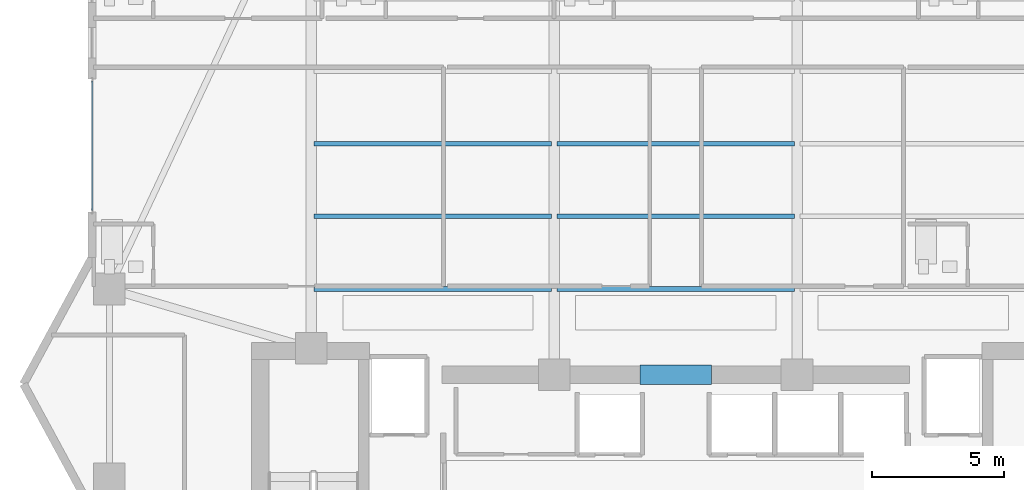
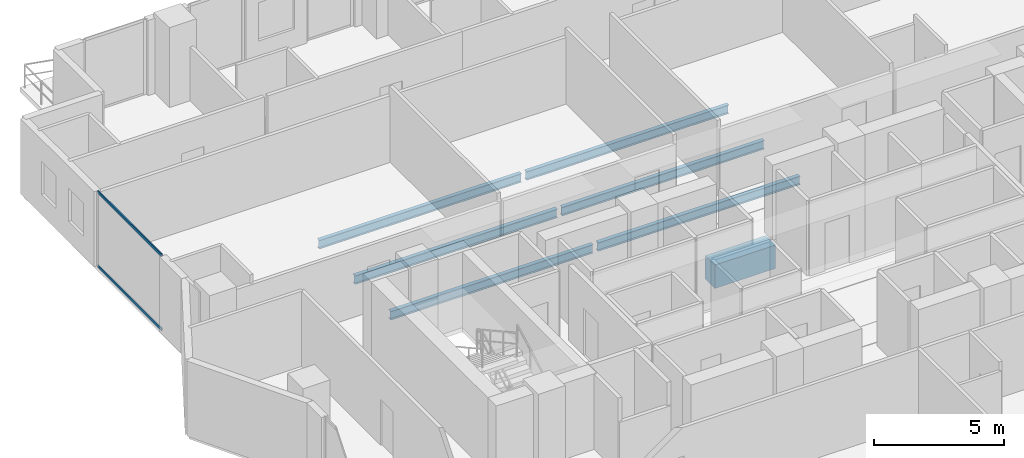
# One storey, part 9 of 33: 7 beams, 2 members, 1 element without a shape of its own.
"""IFC4 building model written with IfcOpenShell, lengths in metres."""

from ifc_helpers import new_model, si_unit, direction, frame, origin, origin_2d, place, context, subcontext, project, spatial, rectangle, hollow_rectangle, i_section, extrude, material, layer, layer_set, material_profile, profile_set, type_object, element, aggregate, save


model = new_model("IFC4")

# Units and contexts
model_context = context("Model", 3, precision=1e-05, world=origin(), true_north=direction((0.0, 1.0)))
body_context = subcontext(model_context, "Body", "Model", "MODEL_VIEW")
ifc_project = project(units=[si_unit("LENGTHUNIT", "METRE"), si_unit("AREAUNIT", "SQUARE_METRE"), si_unit("VOLUMEUNIT", "CUBIC_METRE"), si_unit("PLANEANGLEUNIT", "RADIAN"), si_unit("MASSUNIT", "GRAM", prefix="KILO")], contexts=[model_context])

# Site, building, storey
site_placement = place(None, origin())
site = spatial("IfcSite", under=ifc_project, at=site_placement, CompositionType="ELEMENT")
building_placement = place(site_placement, origin())
building = spatial("IfcBuilding", under=site, at=building_placement, Name="Zuhayl Quay Hotel", CompositionType="ELEMENT")
storey_placement = place(building_placement, frame((0.0, 0.0, 211.14990234375)))
storey = spatial("IfcBuildingStorey", under=building, at=storey_placement, Name="L53", CompositionType="ELEMENT", Elevation=211.14990234375)

# Beams
ifc_material_1 = material(Name="Concrete C60/75", Category="concrete")
ifc_material_profile_1 = material_profile(ifc_material_1, rectangle(XDim=0.75, YDim=1.10009765625, at=origin_2d()), Name="RC750X1100")
ifc_profile_set_1 = profile_set([ifc_material_profile_1], Name="Concrete C60/75")
beam_type_1 = type_object("IfcBeamType", Name="BM_CB2_RC750", PredefinedType="T_BEAM", material=ifc_profile_set_1)
beam_1_placement = place(storey_placement, frame((-1.35009765625, 13.35009765625, -0.77001953125), z_axis=(1.0, 0.0, 0.0), x_axis=(0.0, 1.0, 0.0)))
element("IfcBeam", 1, at=beam_1_placement, inside=storey, type_object=beam_type_1, Name="L53 Core Coupling Beam North", PredefinedType="T_BEAM", context=body_context, shape_type="SweptSolid", body=[
    extrude(rectangle(XDim=0.75, YDim=1.10009765625, at=origin_2d()), origin(), (0.0, 0.0, 1.0), 2.7001953125),
])
ifc_material_2 = material(Name="Steel ASTM A992 Grade 50", Category="steel")
ifc_material_profile_2 = material_profile(ifc_material_2, i_section(OverallWidth=0.177978515625, OverallDepth=0.406005859375, WebThickness=0.0078125, FlangeThickness=0.0126953125, at=origin_2d()), Name="W16X40")
ifc_profile_set_2 = profile_set([ifc_material_profile_2], Name="Steel ASTM A992 Grade 50")
beam_type_2 = type_object("IfcBeamType", Name="BM_J2B_W16X40", PredefinedType="JOIST", material=ifc_profile_set_2)
beam_2_placement = place(storey_placement, frame((-13.694091796875, 16.60009765625, -0.4228515625), z_axis=(1.0, 0.0, 0.0), x_axis=(0.0, 1.0, 0.0)))
element("IfcBeam", 2, at=beam_2_placement, inside=storey, type_object=beam_type_2, Name="L53 Floor Beam FJ_L53_1_1", PredefinedType="JOIST", context=body_context, shape_type="SweptSolid", body=[
    extrude(i_section(OverallWidth=0.177978515625, OverallDepth=0.406005859375, WebThickness=0.0078125, FlangeThickness=0.0126953125, at=origin_2d()), origin(), (0.0, 0.0, 1.0), 8.988037109375),
])
beam_3_placement = place(storey_placement, frame((-4.493896484375, 16.60009765625, -0.4228515625), z_axis=(1.0, 0.0, 0.0), x_axis=(0.0, 1.0, 0.0)))
element("IfcBeam", 3, at=beam_3_placement, inside=storey, type_object=beam_type_2, Name="L53 Floor Beam FJ_L53_1_2", PredefinedType="JOIST", context=body_context, shape_type="SweptSolid", body=[
    extrude(i_section(OverallWidth=0.177978515625, OverallDepth=0.406005859375, WebThickness=0.0078125, FlangeThickness=0.0126953125, at=origin_2d()), origin(), (0.0, 0.0, 1.0), 8.98779296875),
])
beam_4_placement = place(storey_placement, frame((-13.694091796875, 19.35009765625, -0.4228515625), z_axis=(1.0, 0.0, 0.0), x_axis=(0.0, 1.0, 0.0)))
element("IfcBeam", 4, at=beam_4_placement, inside=storey, type_object=beam_type_2, Name="L53 Floor Beam FJ_L53_2_1", PredefinedType="JOIST", context=body_context, shape_type="SweptSolid", body=[
    extrude(i_section(OverallWidth=0.177978515625, OverallDepth=0.406005859375, WebThickness=0.0078125, FlangeThickness=0.0126953125, at=origin_2d()), origin(), (0.0, 0.0, 1.0), 8.988037109375),
])
beam_5_placement = place(storey_placement, frame((-4.493896484375, 19.35009765625, -0.4228515625), z_axis=(1.0, 0.0, 0.0), x_axis=(0.0, 1.0, 0.0)))
element("IfcBeam", 5, at=beam_5_placement, inside=storey, type_object=beam_type_2, Name="L53 Floor Beam FJ_L53_2_2", PredefinedType="JOIST", context=body_context, shape_type="SweptSolid", body=[
    extrude(i_section(OverallWidth=0.177978515625, OverallDepth=0.406005859375, WebThickness=0.0078125, FlangeThickness=0.0126953125, at=origin_2d()), origin(), (0.0, 0.0, 1.0), 8.98779296875),
])
beam_6_placement = place(storey_placement, frame((-13.694091796875, 22.10009765625, -0.4228515625), z_axis=(1.0, 0.0, 0.0), x_axis=(0.0, 1.0, 0.0)))
element("IfcBeam", 6, at=beam_6_placement, inside=storey, type_object=beam_type_2, Name="L53 Floor Beam FJ_L53_3_1", PredefinedType="JOIST", context=body_context, shape_type="SweptSolid", body=[
    extrude(i_section(OverallWidth=0.177978515625, OverallDepth=0.406005859375, WebThickness=0.0078125, FlangeThickness=0.0126953125, at=origin_2d()), origin(), (0.0, 0.0, 1.0), 8.988037109375),
])
beam_7_placement = place(storey_placement, frame((-4.493896484375, 22.10009765625, -0.4228515625), z_axis=(1.0, 0.0, 0.0), x_axis=(0.0, 1.0, 0.0)))
element("IfcBeam", 7, at=beam_7_placement, inside=storey, type_object=beam_type_2, Name="L53 Floor Beam FJ_L53_3_2", PredefinedType="JOIST", context=body_context, shape_type="SweptSolid", body=[
    extrude(i_section(OverallWidth=0.177978515625, OverallDepth=0.406005859375, WebThickness=0.0078125, FlangeThickness=0.0126953125, at=origin_2d()), origin(), (0.0, 0.0, 1.0), 8.98779296875),
])

# Curtain wall, members
ifc_material_3 = material(Name="Anodised Aluminium 6063-T6", Category="aluminium")
ifc_layer = layer(ifc_material_3, 0.175048828125, Name="Anodised Aluminium 6063-T6", Category="aluminium")
ifc_layer_set = layer_set([ifc_layer], Name="Anodised Aluminium 6063-T6")
curtain_wall_type = type_object("IfcCurtainWallType", Name="CW_SYS_Z3", PredefinedType="USERDEFINED", material=ifc_layer_set)
curtain_wall_placement = place(storey_placement, origin())
curtain_wall = element("IfcCurtainWall", 8, at=curtain_wall_placement, inside=storey, type_object=curtain_wall_type, Name="L53 Curtain Wall ENV_L53_E05_CW1", ObjectType="UNITISED CURTAIN WALL", PredefinedType="USERDEFINED")
ifc_material_4 = material(Name="Black-anodised aluminium 6063-T6", Category="aluminium")
ifc_material_profile_3 = material_profile(ifc_material_4, hollow_rectangle(XDim=0.054931640625, YDim=0.1298828125, WallThickness=0.0029296875, at=origin_2d()), Name="ALU130X55")
ifc_profile_set_3 = profile_set([ifc_material_profile_3], Name="Black-anodised aluminium 6063-T6")
member_type = type_object("IfcMemberType", Name="MB_CW_TRN_130", PredefinedType="USERDEFINED", material=ifc_profile_set_3)
member_1_placement = place(storey_placement, frame((-22.10009765625, 19.574951171875, 0.027587890625), z_axis=(0.0, 1.0, 0.0), x_axis=(-1.0, 0.0, 0.0)))
member_1 = element("IfcMember", 9, at=member_1_placement, type_object=member_type, Name="CW-Z3 transom 1.1", ObjectType="TRANSOM", PredefinedType="USERDEFINED", context=body_context, shape_type="SweptSolid", body=[
    extrude(hollow_rectangle(XDim=0.054931640625, YDim=0.1298828125, WallThickness=0.0029296875, at=origin_2d()), origin(), (0.0, 0.0, 1.0), 4.91015625),
])
member_2_placement = place(storey_placement, frame((-22.10009765625, 19.574951171875, 3.502685546875), z_axis=(0.0, 1.0, 0.0), x_axis=(-1.0, 0.0, 0.0)))
member_2 = element("IfcMember", 10, at=member_2_placement, type_object=member_type, Name="CW-Z3 transom 1.2", ObjectType="TRANSOM", PredefinedType="USERDEFINED", context=body_context, shape_type="SweptSolid", body=[
    extrude(hollow_rectangle(XDim=0.054931640625, YDim=0.1298828125, WallThickness=0.0029296875, at=origin_2d()), origin(), (0.0, 0.0, 1.0), 4.91015625),
])
aggregate(curtain_wall, [member_1, member_2])

save(model, "model.ifc")
